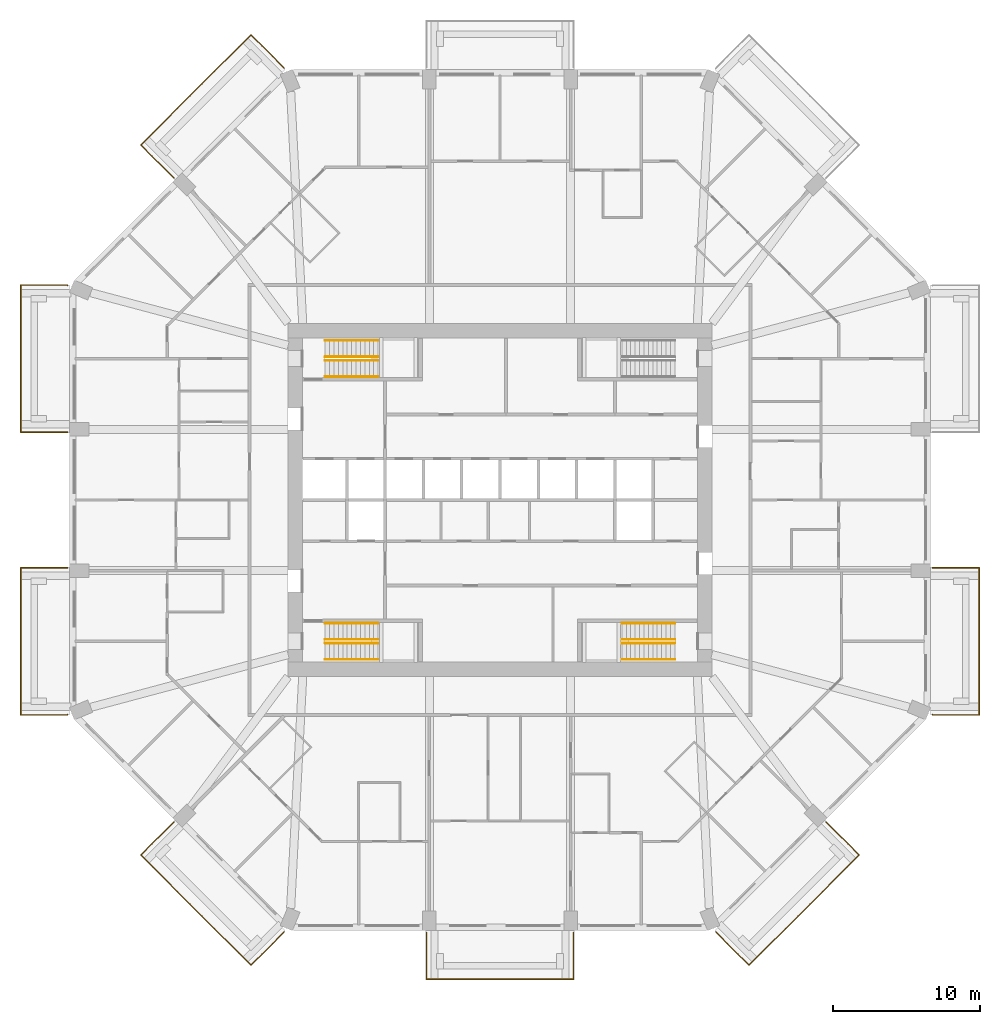
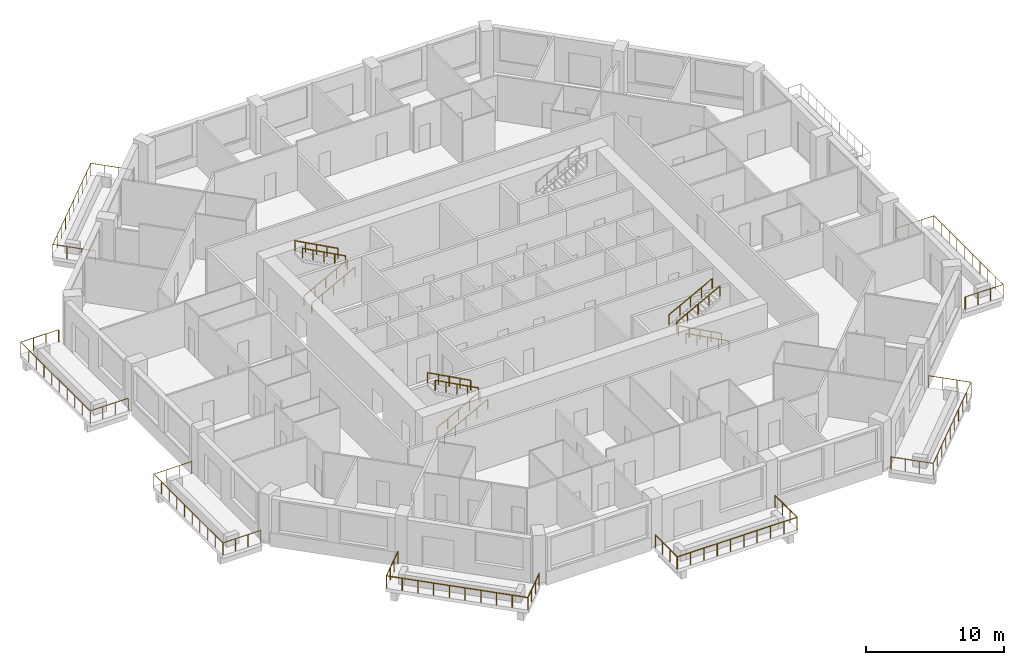
# One storey, part 12 of 13: 19 railings.
"""IFC4 building model written with IfcOpenShell, lengths in metres."""

from ifc_helpers import new_model, si_unit, direction, frame, origin, origin_2d, place, context, subcontext, project, spatial, circle, extrude, material, constituent, constituent_set, type_object, element, save


model = new_model("IFC4")

# Units and contexts
model_context = context("Model", 3, precision=1e-05, world=origin(), true_north=direction((0.0, 1.0)))
body_context = subcontext(model_context, "Body", "Model", "MODEL_VIEW")
ifc_project = project(units=[si_unit("LENGTHUNIT", "METRE"), si_unit("AREAUNIT", "SQUARE_METRE"), si_unit("VOLUMEUNIT", "CUBIC_METRE"), si_unit("PLANEANGLEUNIT", "RADIAN"), si_unit("MASSUNIT", "GRAM", prefix="KILO")], contexts=[model_context])

# Site, building, storey
site_placement = place(None, origin())
site = spatial("IfcSite", under=ifc_project, at=site_placement, CompositionType="ELEMENT")
building_placement = place(site_placement, origin())
building = spatial("IfcBuilding", under=site, at=building_placement, Name="Msitu Wima Residences", CompositionType="ELEMENT")
storey_placement = place(building_placement, frame((0.0, 0.0, 63.300048828125)))
storey = spatial("IfcBuildingStorey", under=building, at=storey_placement, Name="L14", CompositionType="ELEMENT", Elevation=63.300048828125)

# Railings
ifc_material_1 = material(Name="Steel S355", Category="steel")
ifc_constituent_1 = constituent(ifc_material_1, Name="Steel S355")
ifc_material_2 = material(Name="Weathering patina")
ifc_constituent_2 = constituent(ifc_material_2, Name="Weathering patina")
ifc_constituent_set_1 = constituent_set(constituents=[ifc_constituent_1, ifc_constituent_2], Name="Steel S355")
railing_type_1 = type_object("IfcRailingType", Name="Balcony guard GR1100", PredefinedType="GUARDRAIL", material=ifc_constituent_set_1)
railing_1_placement = place(storey_placement, frame((29.3798828125, -4.60009765625, 0.0)))
element("IfcRailing", 1, at=railing_1_placement, inside=storey, type_object=railing_type_1, Name="Balcony guard E0 L14", PredefinedType="GUARDRAIL", context=body_context, shape_type="SweptSolid", body=[
    extrude(circle(Radius=0.02392578125, at=origin_2d()), frame((0.0, 0.0, 1.076171875), z_axis=(1.0, 0.0, 0.0), x_axis=(0.0, 1.0, 0.0)), (0.0, 0.0, 1.0), 3.170166015625),
    extrude(circle(Radius=0.02392578125, at=origin_2d()), frame((3.170166015625, 0.0, 1.076171875), z_axis=(0.0, -1.0, 0.0), x_axis=(1.0, 0.0, 0.0)), (0.0, 0.0, 1.0), 10.0),
    extrude(circle(Radius=0.02392578125, at=origin_2d()), frame((3.170166015625, -10.0, 1.076171875), z_axis=(-1.0, 0.0, 0.0), x_axis=(0.0, -1.0, 0.0)), (0.0, 0.0, 1.0), 3.136474609375),
    extrude(circle(Radius=0.02392578125, at=origin_2d()), frame((0.03369140625, -10.0, 1.076171875), z_axis=(-0.92426142649, 0.38176015442, 0.0), x_axis=(-0.38176015442, -0.92426142649, 0.0)), (0.0, 0.0, 1.0), 0.036376953125),
    extrude(circle(Radius=0.02099609375, at=origin_2d()), origin(), (0.0, 0.0, 1.0), 1.052001953125),
    extrude(circle(Radius=0.02099609375, at=origin_2d()), frame((1.056640625, 0.0, 0.0)), (0.0, 0.0, 1.0), 1.052001953125),
    extrude(circle(Radius=0.02099609375, at=origin_2d()), frame((2.113525390625, 0.0, 0.0)), (0.0, 0.0, 1.0), 1.052001953125),
    extrude(circle(Radius=0.02099609375, at=origin_2d()), frame((3.170166015625, 0.0, 0.0)), (0.0, 0.0, 1.0), 1.052001953125),
    extrude(circle(Radius=0.02099609375, at=origin_2d()), frame((3.170166015625, -1.111083984375, 0.0)), (0.0, 0.0, 1.0), 1.052001953125),
    extrude(circle(Radius=0.02099609375, at=origin_2d()), frame((3.170166015625, -2.22216796875, 0.0)), (0.0, 0.0, 1.0), 1.052001953125),
    extrude(circle(Radius=0.02099609375, at=origin_2d()), frame((3.170166015625, -3.333251953125, 0.0)), (0.0, 0.0, 1.0), 1.052001953125),
    extrude(circle(Radius=0.02099609375, at=origin_2d()), frame((3.170166015625, -4.4443359375, 0.0)), (0.0, 0.0, 1.0), 1.052001953125),
    extrude(circle(Radius=0.02099609375, at=origin_2d()), frame((3.170166015625, -5.5556640625, 0.0)), (0.0, 0.0, 1.0), 1.052001953125),
    extrude(circle(Radius=0.02099609375, at=origin_2d()), frame((3.170166015625, -6.666748046875, 0.0)), (0.0, 0.0, 1.0), 1.052001953125),
    extrude(circle(Radius=0.02099609375, at=origin_2d()), frame((3.170166015625, -7.77783203125, 0.0)), (0.0, 0.0, 1.0), 1.052001953125),
    extrude(circle(Radius=0.02099609375, at=origin_2d()), frame((3.170166015625, -8.888916015625, 0.0)), (0.0, 0.0, 1.0), 1.052001953125),
    extrude(circle(Radius=0.02099609375, at=origin_2d()), frame((3.170166015625, -10.0, 0.0)), (0.0, 0.0, 1.0), 1.052001953125),
    extrude(circle(Radius=0.02099609375, at=origin_2d()), frame((2.124755859375, -10.0, 0.0)), (0.0, 0.0, 1.0), 1.052001953125),
    extrude(circle(Radius=0.02099609375, at=origin_2d()), frame((1.0791015625, -10.0, 0.0)), (0.0, 0.0, 1.0), 1.052001953125),
    extrude(circle(Radius=0.02099609375, at=origin_2d()), frame((0.03369140625, -10.0, 0.0)), (0.0, 0.0, 1.0), 1.052001953125),
    extrude(circle(Radius=0.02099609375, at=origin_2d()), frame((0.0, -9.986083984375, 0.0)), (0.0, 0.0, 1.0), 1.052001953125),
])
railing_2_placement = place(storey_placement, frame((-22.151611328125, 21.86865234375, 0.0)))
element("IfcRailing", 2, at=railing_2_placement, inside=storey, type_object=railing_type_1, Name="Balcony guard NW0 L14", PredefinedType="GUARDRAIL", context=body_context, shape_type="SweptSolid", body=[
    extrude(circle(Radius=0.02392578125, at=origin_2d()), frame((0.0, 0.0, 1.076171875), z_axis=(-0.707068272989, 0.707145287287, 0.0), x_axis=(-0.707145287287, -0.707068272989, 0.0)), (0.0, 0.0, 1.0), 3.170166015625),
    extrude(circle(Radius=0.02392578125, at=origin_2d()), frame((-2.241455078125, 2.24169921875, 1.076171875), z_axis=(0.707118316465, 0.70709524572, 0.0), x_axis=(-0.70709524572, 0.707118316465, 0.0)), (0.0, 0.0, 1.0), 10.582275390625),
    extrude(circle(Radius=0.02392578125, at=origin_2d()), frame((5.241455078125, 9.724365234375, 1.076171875), z_axis=(0.707106781187, -0.707106781187, 0.0), x_axis=(0.707106781187, 0.707106781187, 0.0)), (0.0, 0.0, 1.0), 3.136474609375),
    extrude(circle(Radius=0.02392578125, at=origin_2d()), frame((7.459228515625, 7.506591796875, 1.076171875), z_axis=(0.384136806859, -0.923276184907, 0.0), x_axis=(0.923276184907, 0.384136806859, 0.0)), (0.0, 0.0, 1.0), 0.0361328125),
    extrude(circle(Radius=0.02099609375, at=origin_2d()), origin(), (0.0, 0.0, 1.0), 1.052001953125),
    extrude(circle(Radius=0.02099609375, at=origin_2d()), frame((-0.7470703125, 0.747314453125, 0.0)), (0.0, 0.0, 1.0), 1.052001953125),
    extrude(circle(Radius=0.02099609375, at=origin_2d()), frame((-1.494384765625, 1.494384765625, 0.0)), (0.0, 0.0, 1.0), 1.052001953125),
    extrude(circle(Radius=0.02099609375, at=origin_2d()), frame((-2.241455078125, 2.24169921875, 0.0)), (0.0, 0.0, 1.0), 1.052001953125),
    extrude(circle(Radius=0.02099609375, at=origin_2d()), frame((-1.409912109375, 3.072998046875, 0.0)), (0.0, 0.0, 1.0), 1.052001953125),
    extrude(circle(Radius=0.02099609375, at=origin_2d()), frame((-0.57861328125, 3.904541015625, 0.0)), (0.0, 0.0, 1.0), 1.052001953125),
    extrude(circle(Radius=0.02099609375, at=origin_2d()), frame((0.2529296875, 4.73583984375, 0.0)), (0.0, 0.0, 1.0), 1.052001953125),
    extrude(circle(Radius=0.02099609375, at=origin_2d()), frame((1.084228515625, 5.5673828125, 0.0)), (0.0, 0.0, 1.0), 1.052001953125),
    extrude(circle(Radius=0.02099609375, at=origin_2d()), frame((1.915771484375, 6.398681640625, 0.0)), (0.0, 0.0, 1.0), 1.052001953125),
    extrude(circle(Radius=0.02099609375, at=origin_2d()), frame((2.7470703125, 7.230224609375, 0.0)), (0.0, 0.0, 1.0), 1.052001953125),
    extrude(circle(Radius=0.02099609375, at=origin_2d()), frame((3.57861328125, 8.0615234375, 0.0)), (0.0, 0.0, 1.0), 1.052001953125),
    extrude(circle(Radius=0.02099609375, at=origin_2d()), frame((4.409912109375, 8.89306640625, 0.0)), (0.0, 0.0, 1.0), 1.052001953125),
    extrude(circle(Radius=0.02099609375, at=origin_2d()), frame((5.241455078125, 9.724365234375, 0.0)), (0.0, 0.0, 1.0), 1.052001953125),
    extrude(circle(Radius=0.02099609375, at=origin_2d()), frame((5.980712890625, 8.985107421875, 0.0)), (0.0, 0.0, 1.0), 1.052001953125),
    extrude(circle(Radius=0.02099609375, at=origin_2d()), frame((6.719970703125, 8.245849609375, 0.0)), (0.0, 0.0, 1.0), 1.052001953125),
    extrude(circle(Radius=0.02099609375, at=origin_2d()), frame((7.459228515625, 7.506591796875, 0.0)), (0.0, 0.0, 1.0), 1.052001953125),
    extrude(circle(Radius=0.02099609375, at=origin_2d()), frame((7.47314453125, 7.47314453125, 0.0)), (0.0, 0.0, 1.0), 1.052001953125),
])
railing_3_placement = place(storey_placement, frame((-29.3798828125, 4.60009765625, 0.0)))
element("IfcRailing", 3, at=railing_3_placement, inside=storey, type_object=railing_type_1, Name="Balcony guard W0 L14", PredefinedType="GUARDRAIL", context=body_context, shape_type="SweptSolid", body=[
    extrude(circle(Radius=0.02392578125, at=origin_2d()), frame((0.0, 0.0, 1.076171875), z_axis=(-1.0, 0.0, 0.0), x_axis=(0.0, -1.0, 0.0)), (0.0, 0.0, 1.0), 3.170166015625),
    extrude(circle(Radius=0.02392578125, at=origin_2d()), frame((-3.170166015625, 0.0, 1.076171875), z_axis=(0.0, 1.0, 0.0), x_axis=(-1.0, 0.0, 0.0)), (0.0, 0.0, 1.0), 10.0),
    extrude(circle(Radius=0.02392578125, at=origin_2d()), frame((-3.170166015625, 10.0, 1.076171875), z_axis=(1.0, 0.0, 0.0), x_axis=(0.0, 1.0, 0.0)), (0.0, 0.0, 1.0), 3.136474609375),
    extrude(circle(Radius=0.02392578125, at=origin_2d()), frame((-0.03369140625, 10.0, 1.076171875), z_axis=(0.92426142649, -0.38176015442, 0.0), x_axis=(0.38176015442, 0.92426142649, 0.0)), (0.0, 0.0, 1.0), 0.036376953125),
    extrude(circle(Radius=0.02099609375, at=origin_2d()), origin(), (0.0, 0.0, 1.0), 1.052001953125),
    extrude(circle(Radius=0.02099609375, at=origin_2d()), frame((-1.056640625, 0.0, 0.0)), (0.0, 0.0, 1.0), 1.052001953125),
    extrude(circle(Radius=0.02099609375, at=origin_2d()), frame((-2.113525390625, 0.0, 0.0)), (0.0, 0.0, 1.0), 1.052001953125),
    extrude(circle(Radius=0.02099609375, at=origin_2d()), frame((-3.170166015625, 0.0, 0.0)), (0.0, 0.0, 1.0), 1.052001953125),
    extrude(circle(Radius=0.02099609375, at=origin_2d()), frame((-3.170166015625, 1.111083984375, 0.0)), (0.0, 0.0, 1.0), 1.052001953125),
    extrude(circle(Radius=0.02099609375, at=origin_2d()), frame((-3.170166015625, 2.22216796875, 0.0)), (0.0, 0.0, 1.0), 1.052001953125),
    extrude(circle(Radius=0.02099609375, at=origin_2d()), frame((-3.170166015625, 3.333251953125, 0.0)), (0.0, 0.0, 1.0), 1.052001953125),
    extrude(circle(Radius=0.02099609375, at=origin_2d()), frame((-3.170166015625, 4.4443359375, 0.0)), (0.0, 0.0, 1.0), 1.052001953125),
    extrude(circle(Radius=0.02099609375, at=origin_2d()), frame((-3.170166015625, 5.5556640625, 0.0)), (0.0, 0.0, 1.0), 1.052001953125),
    extrude(circle(Radius=0.02099609375, at=origin_2d()), frame((-3.170166015625, 6.666748046875, 0.0)), (0.0, 0.0, 1.0), 1.052001953125),
    extrude(circle(Radius=0.02099609375, at=origin_2d()), frame((-3.170166015625, 7.77783203125, 0.0)), (0.0, 0.0, 1.0), 1.052001953125),
    extrude(circle(Radius=0.02099609375, at=origin_2d()), frame((-3.170166015625, 8.888916015625, 0.0)), (0.0, 0.0, 1.0), 1.052001953125),
    extrude(circle(Radius=0.02099609375, at=origin_2d()), frame((-3.170166015625, 10.0, 0.0)), (0.0, 0.0, 1.0), 1.052001953125),
    extrude(circle(Radius=0.02099609375, at=origin_2d()), frame((-2.124755859375, 10.0, 0.0)), (0.0, 0.0, 1.0), 1.052001953125),
    extrude(circle(Radius=0.02099609375, at=origin_2d()), frame((-1.0791015625, 10.0, 0.0)), (0.0, 0.0, 1.0), 1.052001953125),
    extrude(circle(Radius=0.02099609375, at=origin_2d()), frame((-0.03369140625, 10.0, 0.0)), (0.0, 0.0, 1.0), 1.052001953125),
    extrude(circle(Radius=0.02099609375, at=origin_2d()), frame((0.0, 9.986083984375, 0.0)), (0.0, 0.0, 1.0), 1.052001953125),
])
railing_4_placement = place(storey_placement, frame((-29.3798828125, -14.586181640625, 0.0)))
element("IfcRailing", 4, at=railing_4_placement, inside=storey, type_object=railing_type_1, Name="Balcony guard W2 L14", PredefinedType="GUARDRAIL", context=body_context, shape_type="SweptSolid", body=[
    extrude(circle(Radius=0.02392578125, at=origin_2d()), frame((0.0, 0.0, 1.076171875), z_axis=(-0.92426142649, -0.38176015442, 0.0), x_axis=(0.38176015442, -0.92426142649, 0.0)), (0.0, 0.0, 1.0), 0.036376953125),
    extrude(circle(Radius=0.02392578125, at=origin_2d()), frame((-0.03369140625, -0.013916015625, 1.076171875), z_axis=(-1.0, 0.0, 0.0), x_axis=(0.0, -1.0, 0.0)), (0.0, 0.0, 1.0), 3.136474609375),
    extrude(circle(Radius=0.02392578125, at=origin_2d()), frame((-3.170166015625, -0.013916015625, 1.076171875), z_axis=(0.0, 1.0, 0.0), x_axis=(-1.0, 0.0, 0.0)), (0.0, 0.0, 1.0), 10.0),
    extrude(circle(Radius=0.02392578125, at=origin_2d()), frame((-3.170166015625, 9.986083984375, 1.076171875), z_axis=(1.0, 0.0, 0.0), x_axis=(0.0, 1.0, 0.0)), (0.0, 0.0, 1.0), 3.170166015625),
    extrude(circle(Radius=0.02099609375, at=origin_2d()), origin(), (0.0, 0.0, 1.0), 1.052001953125),
    extrude(circle(Radius=0.02099609375, at=origin_2d()), frame((-0.03369140625, -0.013916015625, 0.0)), (0.0, 0.0, 1.0), 1.052001953125),
    extrude(circle(Radius=0.02099609375, at=origin_2d()), frame((-1.0791015625, -0.013916015625, 0.0)), (0.0, 0.0, 1.0), 1.052001953125),
    extrude(circle(Radius=0.02099609375, at=origin_2d()), frame((-2.124755859375, -0.013916015625, 0.0)), (0.0, 0.0, 1.0), 1.052001953125),
    extrude(circle(Radius=0.02099609375, at=origin_2d()), frame((-3.170166015625, -0.013916015625, 0.0)), (0.0, 0.0, 1.0), 1.052001953125),
    extrude(circle(Radius=0.02099609375, at=origin_2d()), frame((-3.170166015625, 1.09716796875, 0.0)), (0.0, 0.0, 1.0), 1.052001953125),
    extrude(circle(Radius=0.02099609375, at=origin_2d()), frame((-3.170166015625, 2.208251953125, 0.0)), (0.0, 0.0, 1.0), 1.052001953125),
    extrude(circle(Radius=0.02099609375, at=origin_2d()), frame((-3.170166015625, 3.3193359375, 0.0)), (0.0, 0.0, 1.0), 1.052001953125),
    extrude(circle(Radius=0.02099609375, at=origin_2d()), frame((-3.170166015625, 4.430419921875, 0.0)), (0.0, 0.0, 1.0), 1.052001953125),
    extrude(circle(Radius=0.02099609375, at=origin_2d()), frame((-3.170166015625, 5.541748046875, 0.0)), (0.0, 0.0, 1.0), 1.052001953125),
    extrude(circle(Radius=0.02099609375, at=origin_2d()), frame((-3.170166015625, 6.65283203125, 0.0)), (0.0, 0.0, 1.0), 1.052001953125),
    extrude(circle(Radius=0.02099609375, at=origin_2d()), frame((-3.170166015625, 7.763916015625, 0.0)), (0.0, 0.0, 1.0), 1.052001953125),
    extrude(circle(Radius=0.02099609375, at=origin_2d()), frame((-3.170166015625, 8.875, 0.0)), (0.0, 0.0, 1.0), 1.052001953125),
    extrude(circle(Radius=0.02099609375, at=origin_2d()), frame((-3.170166015625, 9.986083984375, 0.0)), (0.0, 0.0, 1.0), 1.052001953125),
    extrude(circle(Radius=0.02099609375, at=origin_2d()), frame((-2.113525390625, 9.986083984375, 0.0)), (0.0, 0.0, 1.0), 1.052001953125),
    extrude(circle(Radius=0.02099609375, at=origin_2d()), frame((-1.056640625, 9.986083984375, 0.0)), (0.0, 0.0, 1.0), 1.052001953125),
    extrude(circle(Radius=0.02099609375, at=origin_2d()), frame((0.0, 9.986083984375, 0.0)), (0.0, 0.0, 1.0), 1.052001953125),
])
railing_5_placement = place(storey_placement, frame((-14.678466796875, -29.341796875, 0.0)))
element("IfcRailing", 5, at=railing_5_placement, inside=storey, type_object=railing_type_1, Name="Balcony guard SW1 L14", PredefinedType="GUARDRAIL", context=body_context, shape_type="SweptSolid", body=[
    extrude(circle(Radius=0.02392578125, at=origin_2d()), frame((0.0, 0.0, 1.076171875), z_axis=(-0.384136806859, -0.923276184907, 0.0), x_axis=(0.923276184907, -0.384136806859, 0.0)), (0.0, 0.0, 1.0), 0.0361328125),
    extrude(circle(Radius=0.02392578125, at=origin_2d()), frame((-0.013916015625, -0.033447265625, 1.076171875), z_axis=(-0.707106781187, -0.707106781187, 0.0), x_axis=(0.707106781187, -0.707106781187, 0.0)), (0.0, 0.0, 1.0), 3.136474609375),
    extrude(circle(Radius=0.02392578125, at=origin_2d()), frame((-2.231689453125, -2.251220703125, 1.076171875), z_axis=(-0.707118316465, 0.70709524572, 0.0), x_axis=(-0.70709524572, -0.707118316465, 0.0)), (0.0, 0.0, 1.0), 10.582275390625),
    extrude(circle(Radius=0.02392578125, at=origin_2d()), frame((-9.714599609375, 5.2314453125, 1.076171875), z_axis=(0.707068272989, 0.707145287287, 0.0), x_axis=(-0.707145287287, 0.707068272989, 0.0)), (0.0, 0.0, 1.0), 3.170166015625),
    extrude(circle(Radius=0.02099609375, at=origin_2d()), origin(), (0.0, 0.0, 1.0), 1.052001953125),
    extrude(circle(Radius=0.02099609375, at=origin_2d()), frame((-0.013916015625, -0.033447265625, 0.0)), (0.0, 0.0, 1.0), 1.052001953125),
    extrude(circle(Radius=0.02099609375, at=origin_2d()), frame((-0.753173828125, -0.772705078125, 0.0)), (0.0, 0.0, 1.0), 1.052001953125),
    extrude(circle(Radius=0.02099609375, at=origin_2d()), frame((-1.492431640625, -1.511962890625, 0.0)), (0.0, 0.0, 1.0), 1.052001953125),
    extrude(circle(Radius=0.02099609375, at=origin_2d()), frame((-2.231689453125, -2.251220703125, 0.0)), (0.0, 0.0, 1.0), 1.052001953125),
    extrude(circle(Radius=0.02099609375, at=origin_2d()), frame((-3.063232421875, -1.419921875, 0.0)), (0.0, 0.0, 1.0), 1.052001953125),
    extrude(circle(Radius=0.02099609375, at=origin_2d()), frame((-3.89453125, -0.58837890625, 0.0)), (0.0, 0.0, 1.0), 1.052001953125),
    extrude(circle(Radius=0.02099609375, at=origin_2d()), frame((-4.72607421875, 0.242919921875, 0.0)), (0.0, 0.0, 1.0), 1.052001953125),
    extrude(circle(Radius=0.02099609375, at=origin_2d()), frame((-5.557373046875, 1.074462890625, 0.0)), (0.0, 0.0, 1.0), 1.052001953125),
    extrude(circle(Radius=0.02099609375, at=origin_2d()), frame((-6.388916015625, 1.90576171875, 0.0)), (0.0, 0.0, 1.0), 1.052001953125),
    extrude(circle(Radius=0.02099609375, at=origin_2d()), frame((-7.22021484375, 2.7373046875, 0.0)), (0.0, 0.0, 1.0), 1.052001953125),
    extrude(circle(Radius=0.02099609375, at=origin_2d()), frame((-8.0517578125, 3.568603515625, 0.0)), (0.0, 0.0, 1.0), 1.052001953125),
    extrude(circle(Radius=0.02099609375, at=origin_2d()), frame((-8.883056640625, 4.400146484375, 0.0)), (0.0, 0.0, 1.0), 1.052001953125),
    extrude(circle(Radius=0.02099609375, at=origin_2d()), frame((-9.714599609375, 5.2314453125, 0.0)), (0.0, 0.0, 1.0), 1.052001953125),
    extrude(circle(Radius=0.02099609375, at=origin_2d()), frame((-8.967529296875, 5.978759765625, 0.0)), (0.0, 0.0, 1.0), 1.052001953125),
    extrude(circle(Radius=0.02099609375, at=origin_2d()), frame((-8.22021484375, 6.725830078125, 0.0)), (0.0, 0.0, 1.0), 1.052001953125),
    extrude(circle(Radius=0.02099609375, at=origin_2d()), frame((-7.47314453125, 7.47314453125, 0.0)), (0.0, 0.0, 1.0), 1.052001953125),
])
railing_6_placement = place(storey_placement, frame((5.0, -29.3798828125, 0.0)))
element("IfcRailing", 6, at=railing_6_placement, inside=storey, type_object=railing_type_1, Name="Balcony guard S1 L14", PredefinedType="GUARDRAIL", context=body_context, shape_type="SweptSolid", body=[
    extrude(circle(Radius=0.02392578125, at=origin_2d()), frame((0.0, 0.0, 1.076171875), z_axis=(0.0, -1.0, 0.0), x_axis=(1.0, 0.0, 0.0)), (0.0, 0.0, 1.0), 3.170166015625),
    extrude(circle(Radius=0.02392578125, at=origin_2d()), frame((0.0, -3.170166015625, 1.076171875), z_axis=(-1.0, 0.0, 0.0), x_axis=(0.0, -1.0, 0.0)), (0.0, 0.0, 1.0), 10.0),
    extrude(circle(Radius=0.02392578125, at=origin_2d()), frame((-10.0, -3.170166015625, 1.076171875), z_axis=(0.0, 1.0, 0.0), x_axis=(-1.0, 0.0, 0.0)), (0.0, 0.0, 1.0), 3.170166015625),
    extrude(circle(Radius=0.02099609375, at=origin_2d()), origin(), (0.0, 0.0, 1.0), 1.052001953125),
    extrude(circle(Radius=0.02099609375, at=origin_2d()), frame((0.0, -1.056640625, 0.0)), (0.0, 0.0, 1.0), 1.052001953125),
    extrude(circle(Radius=0.02099609375, at=origin_2d()), frame((0.0, -2.113525390625, 0.0)), (0.0, 0.0, 1.0), 1.052001953125),
    extrude(circle(Radius=0.02099609375, at=origin_2d()), frame((0.0, -3.170166015625, 0.0)), (0.0, 0.0, 1.0), 1.052001953125),
    extrude(circle(Radius=0.02099609375, at=origin_2d()), frame((-1.111083984375, -3.170166015625, 0.0)), (0.0, 0.0, 1.0), 1.052001953125),
    extrude(circle(Radius=0.02099609375, at=origin_2d()), frame((-2.22216796875, -3.170166015625, 0.0)), (0.0, 0.0, 1.0), 1.052001953125),
    extrude(circle(Radius=0.02099609375, at=origin_2d()), frame((-3.333251953125, -3.170166015625, 0.0)), (0.0, 0.0, 1.0), 1.052001953125),
    extrude(circle(Radius=0.02099609375, at=origin_2d()), frame((-4.4443359375, -3.170166015625, 0.0)), (0.0, 0.0, 1.0), 1.052001953125),
    extrude(circle(Radius=0.02099609375, at=origin_2d()), frame((-5.5556640625, -3.170166015625, 0.0)), (0.0, 0.0, 1.0), 1.052001953125),
    extrude(circle(Radius=0.02099609375, at=origin_2d()), frame((-6.666748046875, -3.170166015625, 0.0)), (0.0, 0.0, 1.0), 1.052001953125),
    extrude(circle(Radius=0.02099609375, at=origin_2d()), frame((-7.77783203125, -3.170166015625, 0.0)), (0.0, 0.0, 1.0), 1.052001953125),
    extrude(circle(Radius=0.02099609375, at=origin_2d()), frame((-8.888916015625, -3.170166015625, 0.0)), (0.0, 0.0, 1.0), 1.052001953125),
    extrude(circle(Radius=0.02099609375, at=origin_2d()), frame((-10.0, -3.170166015625, 0.0)), (0.0, 0.0, 1.0), 1.052001953125),
    extrude(circle(Radius=0.02099609375, at=origin_2d()), frame((-10.0, -2.113525390625, 0.0)), (0.0, 0.0, 1.0), 1.052001953125),
    extrude(circle(Radius=0.02099609375, at=origin_2d()), frame((-10.0, -1.056640625, 0.0)), (0.0, 0.0, 1.0), 1.052001953125),
    extrude(circle(Radius=0.02099609375, at=origin_2d()), frame((-10.0, 0.0, 0.0)), (0.0, 0.0, 1.0), 1.052001953125),
])
railing_7_placement = place(storey_placement, frame((22.151611328125, -21.86865234375, 0.0)))
element("IfcRailing", 7, at=railing_7_placement, inside=storey, type_object=railing_type_1, Name="Balcony guard SE0 L14", PredefinedType="GUARDRAIL", context=body_context, shape_type="SweptSolid", body=[
    extrude(circle(Radius=0.02392578125, at=origin_2d()), frame((0.0, 0.0, 1.076171875), z_axis=(0.707068272989, -0.707145287287, 0.0), x_axis=(0.707145287287, 0.707068272989, 0.0)), (0.0, 0.0, 1.0), 3.170166015625),
    extrude(circle(Radius=0.02392578125, at=origin_2d()), frame((2.241455078125, -2.24169921875, 1.076171875), z_axis=(-0.707118316465, -0.70709524572, 0.0), x_axis=(0.70709524572, -0.707118316465, 0.0)), (0.0, 0.0, 1.0), 10.582275390625),
    extrude(circle(Radius=0.02392578125, at=origin_2d()), frame((-5.241455078125, -9.724365234375, 1.076171875), z_axis=(-0.707106781187, 0.707106781187, 0.0), x_axis=(-0.707106781187, -0.707106781187, 0.0)), (0.0, 0.0, 1.0), 3.136474609375),
    extrude(circle(Radius=0.02392578125, at=origin_2d()), frame((-7.459228515625, -7.506591796875, 1.076171875), z_axis=(-0.384136806859, 0.923276184907, 0.0), x_axis=(-0.923276184907, -0.384136806859, 0.0)), (0.0, 0.0, 1.0), 0.0361328125),
    extrude(circle(Radius=0.02099609375, at=origin_2d()), origin(), (0.0, 0.0, 1.0), 1.052001953125),
    extrude(circle(Radius=0.02099609375, at=origin_2d()), frame((0.7470703125, -0.747314453125, 0.0)), (0.0, 0.0, 1.0), 1.052001953125),
    extrude(circle(Radius=0.02099609375, at=origin_2d()), frame((1.494384765625, -1.494384765625, 0.0)), (0.0, 0.0, 1.0), 1.052001953125),
    extrude(circle(Radius=0.02099609375, at=origin_2d()), frame((2.241455078125, -2.24169921875, 0.0)), (0.0, 0.0, 1.0), 1.052001953125),
    extrude(circle(Radius=0.02099609375, at=origin_2d()), frame((1.409912109375, -3.072998046875, 0.0)), (0.0, 0.0, 1.0), 1.052001953125),
    extrude(circle(Radius=0.02099609375, at=origin_2d()), frame((0.57861328125, -3.904541015625, 0.0)), (0.0, 0.0, 1.0), 1.052001953125),
    extrude(circle(Radius=0.02099609375, at=origin_2d()), frame((-0.2529296875, -4.73583984375, 0.0)), (0.0, 0.0, 1.0), 1.052001953125),
    extrude(circle(Radius=0.02099609375, at=origin_2d()), frame((-1.084228515625, -5.5673828125, 0.0)), (0.0, 0.0, 1.0), 1.052001953125),
    extrude(circle(Radius=0.02099609375, at=origin_2d()), frame((-1.915771484375, -6.398681640625, 0.0)), (0.0, 0.0, 1.0), 1.052001953125),
    extrude(circle(Radius=0.02099609375, at=origin_2d()), frame((-2.7470703125, -7.230224609375, 0.0)), (0.0, 0.0, 1.0), 1.052001953125),
    extrude(circle(Radius=0.02099609375, at=origin_2d()), frame((-3.57861328125, -8.0615234375, 0.0)), (0.0, 0.0, 1.0), 1.052001953125),
    extrude(circle(Radius=0.02099609375, at=origin_2d()), frame((-4.409912109375, -8.89306640625, 0.0)), (0.0, 0.0, 1.0), 1.052001953125),
    extrude(circle(Radius=0.02099609375, at=origin_2d()), frame((-5.241455078125, -9.724365234375, 0.0)), (0.0, 0.0, 1.0), 1.052001953125),
    extrude(circle(Radius=0.02099609375, at=origin_2d()), frame((-5.980712890625, -8.985107421875, 0.0)), (0.0, 0.0, 1.0), 1.052001953125),
    extrude(circle(Radius=0.02099609375, at=origin_2d()), frame((-6.719970703125, -8.245849609375, 0.0)), (0.0, 0.0, 1.0), 1.052001953125),
    extrude(circle(Radius=0.02099609375, at=origin_2d()), frame((-7.459228515625, -7.506591796875, 0.0)), (0.0, 0.0, 1.0), 1.052001953125),
    extrude(circle(Radius=0.02099609375, at=origin_2d()), frame((-7.47314453125, -7.47314453125, 0.0)), (0.0, 0.0, 1.0), 1.052001953125),
])
ifc_constituent_3 = constituent(ifc_material_1, Name="Steel S355")
ifc_material_3 = material(Name="Black powder coating")
ifc_constituent_4 = constituent(ifc_material_3, Name="Black powder coating")
ifc_constituent_set_2 = constituent_set(constituents=[ifc_constituent_3, ifc_constituent_4], Name="Steel S355")
railing_type_2 = type_object("IfcRailingType", Name="Stair handrail HR1", PredefinedType="HANDRAIL", material=ifc_constituent_set_2)
for number, where, name in (
    (8, (-11.875, 8.375, 0.161376953125), "Stair 1 handrail"),
    (9, (-11.875, 9.47509765625, 0.161376953125), "Stair 1 handrail"),
):
    element("IfcRailing", number, at=place(storey_placement, frame(where)), inside=storey, type_object=railing_type_2, Name=name, PredefinedType="HANDRAIL", context=body_context, shape_type="SweptSolid", body=[
        extrude(circle(Radius=0.02392578125, at=origin_2d()), frame((0.0, 0.0, 0.8759765625), z_axis=(0.880474934443, 0.0, 0.474092701714), x_axis=(0.0, 1.0, 0.0)), (0.0, 0.0, 1.0), 4.0888671875),
        extrude(circle(Radius=0.02099609375, at=origin_2d()), origin(), (0.0, 0.0, 1.0), 0.851806640625),
        extrude(circle(Radius=0.02099609375, at=origin_2d()), frame((0.89990234375, 0.0, 0.484619140625)), (0.0, 0.0, 1.0), 0.851806640625),
        extrude(circle(Radius=0.02099609375, at=origin_2d()), frame((1.800048828125, 0.0, 0.96923828125)), (0.0, 0.0, 1.0), 0.851806640625),
        extrude(circle(Radius=0.02099609375, at=origin_2d()), frame((2.7001953125, 0.0, 1.453857421875)), (0.0, 0.0, 1.0), 0.851806640625),
        extrude(circle(Radius=0.02099609375, at=origin_2d()), frame((3.60009765625, 0.0, 1.9384765625)), (0.0, 0.0, 1.0), 0.851806640625),
    ])
for number, where, name in (
    (10, (-8.27490234375, 9.72509765625, 2.261474609375), "Stair 1 handrail"),
    (11, (-8.27490234375, 10.824951171875, 2.261474609375), "Stair 1 handrail"),
):
    element("IfcRailing", number, at=place(storey_placement, frame(where)), inside=storey, type_object=railing_type_2, Name=name, PredefinedType="HANDRAIL", context=body_context, shape_type="SweptSolid", body=[
        extrude(circle(Radius=0.02392578125, at=origin_2d()), frame((0.0, 0.0, 0.8759765625), z_axis=(-0.880474934443, 0.0, 0.474092701714), x_axis=(0.0, -1.0, 0.0)), (0.0, 0.0, 1.0), 4.0888671875),
        extrude(circle(Radius=0.02099609375, at=origin_2d()), origin(), (0.0, 0.0, 1.0), 0.851806640625),
        extrude(circle(Radius=0.02099609375, at=origin_2d()), frame((-0.89990234375, 0.0, 0.484619140625)), (0.0, 0.0, 1.0), 0.851806640625),
        extrude(circle(Radius=0.02099609375, at=origin_2d()), frame((-1.800048828125, 0.0, 0.96923828125)), (0.0, 0.0, 1.0), 0.851806640625),
        extrude(circle(Radius=0.02099609375, at=origin_2d()), frame((-2.7001953125, 0.0, 1.453857421875)), (0.0, 0.0, 1.0), 0.851806640625),
        extrude(circle(Radius=0.02099609375, at=origin_2d()), frame((-3.60009765625, 0.0, 1.9384765625)), (0.0, 0.0, 1.0), 0.851806640625),
    ])
for number, where, name in (
    (12, (-11.875, -10.824951171875, 0.161376953125), "Stair 2 handrail"),
    (13, (-11.875, -9.72509765625, 0.161376953125), "Stair 2 handrail"),
):
    element("IfcRailing", number, at=place(storey_placement, frame(where)), inside=storey, type_object=railing_type_2, Name=name, PredefinedType="HANDRAIL", context=body_context, shape_type="SweptSolid", body=[
        extrude(circle(Radius=0.02392578125, at=origin_2d()), frame((0.0, 0.0, 0.8759765625), z_axis=(0.880474934443, 0.0, 0.474092701714), x_axis=(0.0, 1.0, 0.0)), (0.0, 0.0, 1.0), 4.0888671875),
        extrude(circle(Radius=0.02099609375, at=origin_2d()), origin(), (0.0, 0.0, 1.0), 0.851806640625),
        extrude(circle(Radius=0.02099609375, at=origin_2d()), frame((0.89990234375, 0.0, 0.484619140625)), (0.0, 0.0, 1.0), 0.851806640625),
        extrude(circle(Radius=0.02099609375, at=origin_2d()), frame((1.800048828125, 0.0, 0.96923828125)), (0.0, 0.0, 1.0), 0.851806640625),
        extrude(circle(Radius=0.02099609375, at=origin_2d()), frame((2.7001953125, 0.0, 1.453857421875)), (0.0, 0.0, 1.0), 0.851806640625),
        extrude(circle(Radius=0.02099609375, at=origin_2d()), frame((3.60009765625, 0.0, 1.9384765625)), (0.0, 0.0, 1.0), 0.851806640625),
    ])
for number, where, name in (
    (14, (-8.27490234375, -9.47509765625, 2.261474609375), "Stair 2 handrail"),
    (15, (-8.27490234375, -8.375, 2.261474609375), "Stair 2 handrail"),
    (16, (11.875, -10.824951171875, 0.161376953125), "Stair 4 handrail"),
    (17, (11.875, -9.72509765625, 0.161376953125), "Stair 4 handrail"),
):
    element("IfcRailing", number, at=place(storey_placement, frame(where)), inside=storey, type_object=railing_type_2, Name=name, PredefinedType="HANDRAIL", context=body_context, shape_type="SweptSolid", body=[
        extrude(circle(Radius=0.02392578125, at=origin_2d()), frame((0.0, 0.0, 0.8759765625), z_axis=(-0.880474934443, 0.0, 0.474092701714), x_axis=(0.0, -1.0, 0.0)), (0.0, 0.0, 1.0), 4.0888671875),
        extrude(circle(Radius=0.02099609375, at=origin_2d()), origin(), (0.0, 0.0, 1.0), 0.851806640625),
        extrude(circle(Radius=0.02099609375, at=origin_2d()), frame((-0.89990234375, 0.0, 0.484619140625)), (0.0, 0.0, 1.0), 0.851806640625),
        extrude(circle(Radius=0.02099609375, at=origin_2d()), frame((-1.800048828125, 0.0, 0.96923828125)), (0.0, 0.0, 1.0), 0.851806640625),
        extrude(circle(Radius=0.02099609375, at=origin_2d()), frame((-2.7001953125, 0.0, 1.453857421875)), (0.0, 0.0, 1.0), 0.851806640625),
        extrude(circle(Radius=0.02099609375, at=origin_2d()), frame((-3.60009765625, 0.0, 1.9384765625)), (0.0, 0.0, 1.0), 0.851806640625),
    ])
for number, where, name in (
    (18, (8.27490234375, -9.47509765625, 2.261474609375), "Stair 4 handrail"),
    (19, (8.27490234375, -8.375, 2.261474609375), "Stair 4 handrail"),
):
    element("IfcRailing", number, at=place(storey_placement, frame(where)), inside=storey, type_object=railing_type_2, Name=name, PredefinedType="HANDRAIL", context=body_context, shape_type="SweptSolid", body=[
        extrude(circle(Radius=0.02392578125, at=origin_2d()), frame((0.0, 0.0, 0.8759765625), z_axis=(0.880474934443, 0.0, 0.474092701714), x_axis=(0.0, 1.0, 0.0)), (0.0, 0.0, 1.0), 4.0888671875),
        extrude(circle(Radius=0.02099609375, at=origin_2d()), origin(), (0.0, 0.0, 1.0), 0.851806640625),
        extrude(circle(Radius=0.02099609375, at=origin_2d()), frame((0.89990234375, 0.0, 0.484619140625)), (0.0, 0.0, 1.0), 0.851806640625),
        extrude(circle(Radius=0.02099609375, at=origin_2d()), frame((1.800048828125, 0.0, 0.96923828125)), (0.0, 0.0, 1.0), 0.851806640625),
        extrude(circle(Radius=0.02099609375, at=origin_2d()), frame((2.7001953125, 0.0, 1.453857421875)), (0.0, 0.0, 1.0), 0.851806640625),
        extrude(circle(Radius=0.02099609375, at=origin_2d()), frame((3.60009765625, 0.0, 1.9384765625)), (0.0, 0.0, 1.0), 0.851806640625),
    ])

save(model, "model.ifc")
